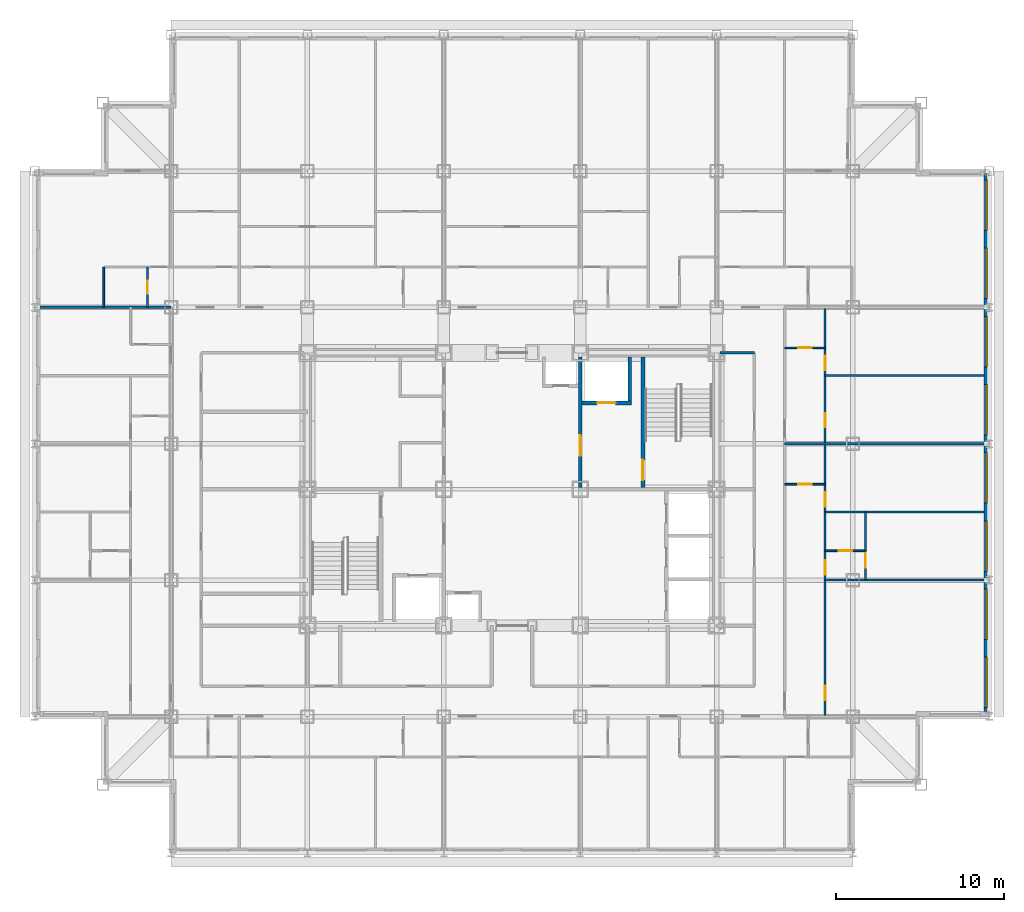
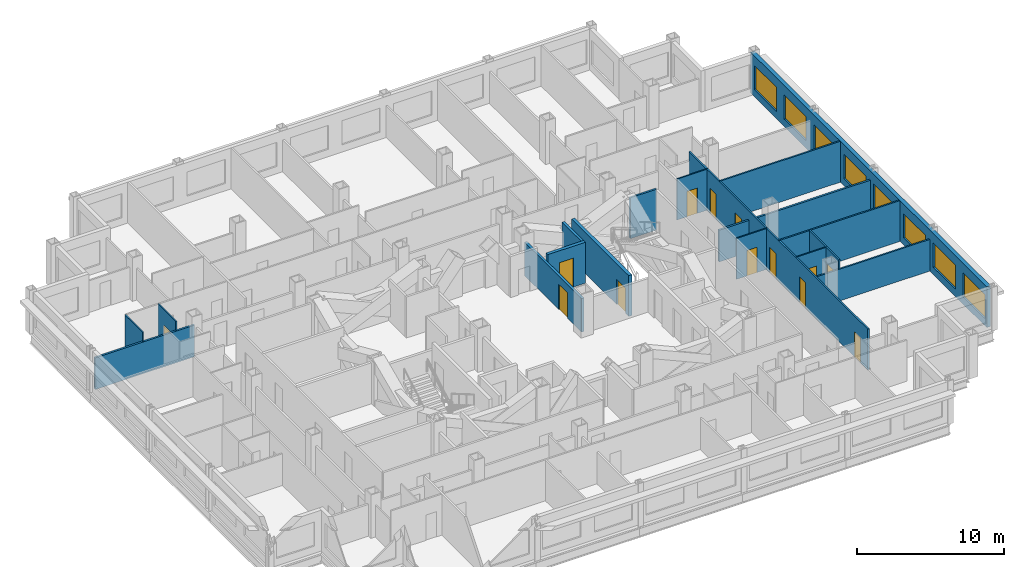
# One storey, part 8 of 12: 19 walls, 13 doors, 8 windows, 21 openings.
"""IFC4 building model written with IfcOpenShell, lengths in metres."""

from ifc_helpers import new_model, si_unit, direction, frame, frame_2d, origin, place, context, subcontext, project, spatial, rectangle, extrude, material, layer, layer_set, type_object, element, fill, save


model = new_model("IFC4")

# Units and contexts
model_context = context("Model", 3, precision=1e-05, world=origin(), true_north=direction((0.0, 1.0)))
body_context = subcontext(model_context, "Body", "Model", "MODEL_VIEW")
ifc_project = project(units=[si_unit("LENGTHUNIT", "METRE"), si_unit("AREAUNIT", "SQUARE_METRE"), si_unit("VOLUMEUNIT", "CUBIC_METRE"), si_unit("PLANEANGLEUNIT", "RADIAN"), si_unit("MASSUNIT", "GRAM", prefix="KILO")], contexts=[model_context])

# Site, building, storey
site_placement = place(None, origin())
site = spatial("IfcSite", under=ifc_project, at=site_placement, CompositionType="ELEMENT")
building_placement = place(site_placement, origin())
building = spatial("IfcBuilding", under=site, at=building_placement, Name="Kopane Lantern Tower", CompositionType="ELEMENT")
storey_placement = place(building_placement, frame((0.0, 0.0, 228.0)))
storey = spatial("IfcBuildingStorey", under=building, at=storey_placement, Name="L59", CompositionType="ELEMENT", Elevation=228.0)

# Wall, openings, doors
ifc_material_1 = material(Name="Gypsum board on steel studs", Category="steel")
ifc_layer_1 = layer(ifc_material_1, 0.1201171875)
ifc_layer_set_1 = layer_set([ifc_layer_1], Name="APARTMENT INTERNAL WALL 120")
wall_type_1 = type_object("IfcWallType", Name="APARTMENT INTERNAL WALL 120", PredefinedType="PARTITIONING", material=ifc_layer_set_1)
wall_1_placement = place(storey_placement, frame((46.949951171875, 18.89990234375, 0.0), z_axis=(0.0, 0.0, 1.0), x_axis=(0.0, 1.0, 0.0)))
wall_1 = element("IfcWall", 1, at=wall_1_placement, inside=storey, type_object=wall_type_1, Name="Apartment Internal Wall 120 L59", PredefinedType="PARTITIONING", context=body_context, shape_type="SweptSolid", body=[
    extrude(rectangle(XDim=24.300048828125, YDim=0.1201171875, at=frame_2d((12.14990234375, 0.0))), origin(), (0.0, 0.0, 1.0), 3.389892578125),
])
opening_1_placement = place(wall_1_placement, frame((0.97509765625, 0.0, 0.0)))
opening_1 = element("IfcOpeningElement", 2, at=opening_1_placement, cuts=wall_1, Name="Opening L59-043", PredefinedType="OPENING", context=body_context, shape_type="SweptSolid", body=[
    extrude(rectangle(XDim=0.85009765625, YDim=2.10009765625, at=frame_2d((0.425048828125, 1.050048828125))), frame((0.0, 0.070068359375, 0.0), z_axis=(0.0, -1.0, 0.0), x_axis=(1.0, 0.0, 0.0)), (0.0, 0.0, 1.0), 0.14013671875),
])
opening_2_placement = place(wall_1_placement, frame((8.425048828125, 0.0, 0.0)))
opening_2 = element("IfcOpeningElement", 3, at=opening_2_placement, cuts=wall_1, Name="Opening L59-045", PredefinedType="OPENING", context=body_context, shape_type="SweptSolid", body=[
    extrude(rectangle(XDim=0.85009765625, YDim=2.10009765625, at=frame_2d((0.425048828125, 1.050048828125))), frame((0.0, 0.070068359375, 0.0), z_axis=(0.0, -1.0, 0.0), x_axis=(1.0, 0.0, 0.0)), (0.0, 0.0, 1.0), 0.14013671875),
])
opening_3_placement = place(wall_1_placement, frame((12.47509765625, 0.0, 0.0)))
opening_3 = element("IfcOpeningElement", 4, at=opening_3_placement, cuts=wall_1, Name="Opening L59-046", PredefinedType="OPENING", context=body_context, shape_type="SweptSolid", body=[
    extrude(rectangle(XDim=0.85009765625, YDim=2.10009765625, at=frame_2d((0.425048828125, 1.050048828125))), frame((0.0, 0.070068359375, 0.0), z_axis=(0.0, -1.0, 0.0), x_axis=(1.0, 0.0, 0.0)), (0.0, 0.0, 1.0), 0.14013671875),
])
opening_4_placement = place(wall_1_placement, frame((17.175048828125, 0.0, 0.0)))
opening_4 = element("IfcOpeningElement", 5, at=opening_4_placement, cuts=wall_1, Name="Opening L59-049", PredefinedType="OPENING", context=body_context, shape_type="SweptSolid", body=[
    extrude(rectangle(XDim=0.85009765625, YDim=2.10009765625, at=frame_2d((0.425048828125, 1.050048828125))), frame((0.0, 0.070068359375, 0.0), z_axis=(0.0, -1.0, 0.0), x_axis=(1.0, 0.0, 0.0)), (0.0, 0.0, 1.0), 0.14013671875),
])
opening_5_placement = place(wall_1_placement, frame((20.574951171875, 0.0, 0.0)))
opening_5 = element("IfcOpeningElement", 6, at=opening_5_placement, cuts=wall_1, Name="Opening L59-050", PredefinedType="OPENING", context=body_context, shape_type="SweptSolid", body=[
    extrude(rectangle(XDim=0.85009765625, YDim=2.10009765625, at=frame_2d((0.425048828125, 1.050048828125))), frame((0.0, 0.070068359375, 0.0), z_axis=(0.0, -1.0, 0.0), x_axis=(1.0, 0.0, 0.0)), (0.0, 0.0, 1.0), 0.14013671875),
])
ifc_material_2 = material(Name="Timber door set", Category="wood")
door_type_1 = type_object("IfcDoorType", Name="DOOR D4 850x2100", OperationType="SINGLE_SWING_LEFT", PredefinedType="DOOR", material=ifc_material_2)
door_1_placement = place(opening_1_placement, origin())
door_1 = element("IfcDoor", 7, at=door_1_placement, inside=storey, type_object=door_type_1, Name="Door L59-043", OperationType="SINGLE_SWING_LEFT", OverallHeight=2.10009765625, OverallWidth=0.85009765625, PredefinedType="DOOR", context=body_context, shape_type="SweptSolid", body=[
    extrude(rectangle(XDim=0.85009765625, YDim=2.10009765625, at=frame_2d((0.425048828125, 1.050048828125))), frame((0.0, 0.02490234375, 0.0), z_axis=(0.0, -1.0, 0.0), x_axis=(1.0, 0.0, 0.0)), (0.0, 0.0, 1.0), 0.050048828125),
])
fill(opening_1, door_1)
door_2_placement = place(opening_2_placement, origin())
door_2 = element("IfcDoor", 8, at=door_2_placement, inside=storey, type_object=door_type_1, Name="Door L59-045", OperationType="SINGLE_SWING_RIGHT", OverallHeight=2.10009765625, OverallWidth=0.85009765625, PredefinedType="DOOR", context=body_context, shape_type="SweptSolid", body=[
    extrude(rectangle(XDim=0.85009765625, YDim=2.10009765625, at=frame_2d((0.425048828125, 1.050048828125))), frame((0.0, 0.02490234375, 0.0), z_axis=(0.0, -1.0, 0.0), x_axis=(1.0, 0.0, 0.0)), (0.0, 0.0, 1.0), 0.050048828125),
])
fill(opening_2, door_2)
door_3_placement = place(opening_3_placement, origin())
door_3 = element("IfcDoor", 9, at=door_3_placement, inside=storey, type_object=door_type_1, Name="Door L59-046", OperationType="SINGLE_SWING_RIGHT", OverallHeight=2.10009765625, OverallWidth=0.85009765625, PredefinedType="DOOR", context=body_context, shape_type="SweptSolid", body=[
    extrude(rectangle(XDim=0.85009765625, YDim=2.10009765625, at=frame_2d((0.425048828125, 1.050048828125))), frame((0.0, 0.02490234375, 0.0), z_axis=(0.0, -1.0, 0.0), x_axis=(1.0, 0.0, 0.0)), (0.0, 0.0, 1.0), 0.050048828125),
])
fill(opening_3, door_3)
door_4_placement = place(opening_4_placement, origin())
door_4 = element("IfcDoor", 10, at=door_4_placement, inside=storey, type_object=door_type_1, Name="Door L59-049", OperationType="SINGLE_SWING_LEFT", OverallHeight=2.10009765625, OverallWidth=0.85009765625, PredefinedType="DOOR", context=body_context, shape_type="SweptSolid", body=[
    extrude(rectangle(XDim=0.85009765625, YDim=2.10009765625, at=frame_2d((0.425048828125, 1.050048828125))), frame((0.0, 0.02490234375, 0.0), z_axis=(0.0, -1.0, 0.0), x_axis=(1.0, 0.0, 0.0)), (0.0, 0.0, 1.0), 0.050048828125),
])
fill(opening_4, door_4)
door_5_placement = place(opening_5_placement, origin())
door_5 = element("IfcDoor", 11, at=door_5_placement, inside=storey, type_object=door_type_1, Name="Door L59-050", OperationType="SINGLE_SWING_RIGHT", OverallHeight=2.10009765625, OverallWidth=0.85009765625, PredefinedType="DOOR", context=body_context, shape_type="SweptSolid", body=[
    extrude(rectangle(XDim=0.85009765625, YDim=2.10009765625, at=frame_2d((0.425048828125, 1.050048828125))), frame((0.0, 0.02490234375, 0.0), z_axis=(0.0, -1.0, 0.0), x_axis=(1.0, 0.0, 0.0)), (0.0, 0.0, 1.0), 0.050048828125),
])
fill(opening_5, door_5)

# Walls
wall_2_placement = place(storey_placement, frame((46.949951171875, 27.0, 0.0), z_axis=(0.0, 0.0, 1.0), x_axis=(1.0, 0.0, 0.0)))
element("IfcWall", 12, at=wall_2_placement, inside=storey, type_object=wall_type_1, Name="Apartment Internal Wall 120 L59", PredefinedType="PARTITIONING", context=body_context, shape_type="SweptSolid", body=[
    extrude(rectangle(XDim=9.449951171875, YDim=0.1201171875, at=frame_2d((4.72509765625, 0.0))), origin(), (0.0, 0.0, 1.0), 2.627685546875),
])
for number, where, z_axis, x_axis, name in (
    (13, (46.949951171875, 31.050048828125, 0.0), (0.0, 0.0, 1.0), (1.0, 0.0, 0.0), "Apartment Internal Wall 120 L59"),
    (14, (46.949951171875, 39.14990234375, 0.0), (0.0, 0.0, 1.0), (1.0, 0.0, 0.0), "Apartment Internal Wall 120 L59"),
):
    element("IfcWall", number, at=place(storey_placement, frame(where, z_axis=z_axis, x_axis=x_axis)), inside=storey, type_object=wall_type_1, Name=name, PredefinedType="PARTITIONING", context=body_context, shape_type="SweptSolid", body=[
        extrude(rectangle(XDim=9.449951171875, YDim=0.1201171875, at=frame_2d((4.72509765625, 0.0))), origin(), (0.0, 0.0, 1.0), 3.389892578125),
    ])

# Wall, opening, door
wall_3_placement = place(storey_placement, frame((49.35009765625, 28.760009765625, 0.0), z_axis=(0.0, 0.0, 1.0), x_axis=(0.0, -1.0, 0.0)))
wall_3 = element("IfcWall", 15, at=wall_3_placement, inside=storey, type_object=wall_type_1, Name="Apartment Internal Wall 120 L59", PredefinedType="PARTITIONING", context=body_context, shape_type="SweptSolid", body=[
    extrude(rectangle(XDim=1.760009765625, YDim=0.1201171875, at=frame_2d((0.8798828125, 0.0))), origin(), (0.0, 0.0, 1.0), 3.389892578125),
])
opening_6_placement = place(wall_3_placement, frame((0.159912109375, 0.0, 0.0)))
opening_6 = element("IfcOpeningElement", 16, at=opening_6_placement, cuts=wall_3, Name="Opening L59-069", PredefinedType="OPENING", context=body_context, shape_type="SweptSolid", body=[
    extrude(rectangle(XDim=0.85009765625, YDim=2.10009765625, at=frame_2d((0.425048828125, 1.050048828125))), frame((0.0, 0.070068359375, 0.0), z_axis=(0.0, -1.0, 0.0), x_axis=(1.0, 0.0, 0.0)), (0.0, 0.0, 1.0), 0.14013671875),
])
door_6_placement = place(opening_6_placement, origin())
door_6 = element("IfcDoor", 17, at=door_6_placement, inside=storey, type_object=door_type_1, Name="Door L59-069", OperationType="SINGLE_SWING_RIGHT", OverallHeight=2.10009765625, OverallWidth=0.85009765625, PredefinedType="DOOR", context=body_context, shape_type="SweptSolid", body=[
    extrude(rectangle(XDim=0.85009765625, YDim=2.10009765625, at=frame_2d((0.425048828125, 1.050048828125))), frame((0.0, 0.02490234375, 0.0), z_axis=(0.0, -1.0, 0.0), x_axis=(1.0, 0.0, 0.0)), (0.0, 0.0, 1.0), 0.050048828125),
])
fill(opening_6, door_6)

ifc_material_3 = material(Name="Moisture-resistant board on steel studs", Category="steel")
ifc_layer_2 = layer(ifc_material_3, 0.10009765625)
ifc_layer_set_2 = layer_set([ifc_layer_2], Name="BATHROOM WALL 100")
wall_type_2 = type_object("IfcWallType", Name="BATHROOM WALL 100", PredefinedType="PARTITIONING", material=ifc_layer_set_2)
wall_4_placement = place(storey_placement, frame((44.550048828125, 32.699951171875, 0.0), z_axis=(0.0, 0.0, 1.0), x_axis=(1.0, 0.0, 0.0)))
wall_4 = element("IfcWall", 18, at=wall_4_placement, inside=storey, type_object=wall_type_2, Name="Bathroom Wall 100 L59", PredefinedType="PARTITIONING", context=body_context, shape_type="SweptSolid", body=[
    extrude(rectangle(XDim=2.39990234375, YDim=0.10009765625, at=frame_2d((1.199951171875, 0.0))), origin(), (0.0, 0.0, 1.0), 3.389892578125),
])
opening_7_placement = place(wall_4_placement, frame((0.800048828125, 0.0, 0.0)))
opening_7 = element("IfcOpeningElement", 19, at=opening_7_placement, cuts=wall_4, Name="Opening L59-041", PredefinedType="OPENING", context=body_context, shape_type="SweptSolid", body=[
    extrude(rectangle(XDim=0.800048828125, YDim=2.10009765625, at=frame_2d((0.39990234375, 1.050048828125))), frame((0.0, 0.06005859375, 0.0), z_axis=(0.0, -1.0, 0.0), x_axis=(1.0, 0.0, 0.0)), (0.0, 0.0, 1.0), 0.1201171875),
])
ifc_material_4 = material(Name="Timber door set", Category="wood")
door_type_2 = type_object("IfcDoorType", Name="DOOR D2 800x2100", OperationType="SINGLE_SWING_LEFT", PredefinedType="DOOR", material=ifc_material_4)
door_7_placement = place(opening_7_placement, origin())
door_7 = element("IfcDoor", 20, at=door_7_placement, inside=storey, type_object=door_type_2, Name="Door L59-041", OperationType="SINGLE_SWING_LEFT", OverallHeight=2.10009765625, OverallWidth=0.800048828125, PredefinedType="DOOR", context=body_context, shape_type="SweptSolid", body=[
    extrude(rectangle(XDim=0.800048828125, YDim=2.10009765625, at=frame_2d((0.39990234375, 1.050048828125))), frame((0.0, 0.02490234375, 0.0), z_axis=(0.0, -1.0, 0.0), x_axis=(1.0, 0.0, 0.0)), (0.0, 0.0, 1.0), 0.050048828125),
])
fill(opening_7, door_7)

wall_5_placement = place(storey_placement, frame((46.949951171875, 28.75, 0.0), z_axis=(0.0, 0.0, 1.0), x_axis=(1.0, 0.0, 0.0)))
wall_5 = element("IfcWall", 21, at=wall_5_placement, inside=storey, type_object=wall_type_2, Name="Bathroom Wall 100 L59", PredefinedType="PARTITIONING", context=body_context, shape_type="SweptSolid", body=[
    extrude(rectangle(XDim=2.400146484375, YDim=0.10009765625, at=frame_2d((1.2001953125, 0.0))), origin(), (0.0, 0.0, 1.0), 3.389892578125),
])
opening_8_placement = place(wall_5_placement, frame((0.800048828125, 0.0, 0.0)))
opening_8 = element("IfcOpeningElement", 22, at=opening_8_placement, cuts=wall_5, Name="Opening L59-044", PredefinedType="OPENING", context=body_context, shape_type="SweptSolid", body=[
    extrude(rectangle(XDim=0.800048828125, YDim=2.10009765625, at=frame_2d((0.39990234375, 1.050048828125))), frame((0.0, 0.06005859375, 0.0), z_axis=(0.0, -1.0, 0.0), x_axis=(1.0, 0.0, 0.0)), (0.0, 0.0, 1.0), 0.1201171875),
])
door_8_placement = place(opening_8_placement, origin())
door_8 = element("IfcDoor", 23, at=door_8_placement, inside=storey, type_object=door_type_2, Name="Door L59-044", OperationType="SINGLE_SWING_LEFT", OverallHeight=2.10009765625, OverallWidth=0.800048828125, PredefinedType="DOOR", context=body_context, shape_type="SweptSolid", body=[
    extrude(rectangle(XDim=0.800048828125, YDim=2.10009765625, at=frame_2d((0.39990234375, 1.050048828125))), frame((0.0, 0.02490234375, 0.0), z_axis=(0.0, -1.0, 0.0), x_axis=(1.0, 0.0, 0.0)), (0.0, 0.0, 1.0), 0.050048828125),
])
fill(opening_8, door_8)

# Wall
wall_6_placement = place(storey_placement, frame((49.35009765625, 28.75, 0.0), z_axis=(0.0, 0.0, 1.0), x_axis=(0.0, 1.0, 0.0)))
element("IfcWall", 24, at=wall_6_placement, inside=storey, type_object=wall_type_2, Name="Bathroom Wall 100 L59", PredefinedType="PARTITIONING", context=body_context, shape_type="SweptSolid", body=[
    extrude(rectangle(XDim=2.300048828125, YDim=0.10009765625, at=frame_2d((1.14990234375, 0.0))), origin(), (0.0, 0.0, 1.0), 3.389892578125),
])

# Wall, opening, door
wall_7_placement = place(storey_placement, frame((44.550048828125, 40.800048828125, 0.0), z_axis=(0.0, 0.0, 1.0), x_axis=(1.0, 0.0, 0.0)))
wall_7 = element("IfcWall", 25, at=wall_7_placement, inside=storey, type_object=wall_type_2, Name="Bathroom Wall 100 L59", PredefinedType="PARTITIONING", context=body_context, shape_type="SweptSolid", body=[
    extrude(rectangle(XDim=2.39990234375, YDim=0.10009765625, at=frame_2d((1.199951171875, 0.0))), origin(), (0.0, 0.0, 1.0), 3.389892578125),
])
opening_9_placement = place(wall_7_placement, frame((0.800048828125, 0.0, 0.0)))
opening_9 = element("IfcOpeningElement", 26, at=opening_9_placement, cuts=wall_7, Name="Opening L59-047", PredefinedType="OPENING", context=body_context, shape_type="SweptSolid", body=[
    extrude(rectangle(XDim=0.800048828125, YDim=2.10009765625, at=frame_2d((0.39990234375, 1.050048828125))), frame((0.0, 0.06005859375, 0.0), z_axis=(0.0, -1.0, 0.0), x_axis=(1.0, 0.0, 0.0)), (0.0, 0.0, 1.0), 0.1201171875),
])
door_9_placement = place(opening_9_placement, origin())
door_9 = element("IfcDoor", 27, at=door_9_placement, inside=storey, type_object=door_type_2, Name="Door L59-047", OperationType="SINGLE_SWING_LEFT", OverallHeight=2.10009765625, OverallWidth=0.800048828125, PredefinedType="DOOR", context=body_context, shape_type="SweptSolid", body=[
    extrude(rectangle(XDim=0.800048828125, YDim=2.10009765625, at=frame_2d((0.39990234375, 1.050048828125))), frame((0.0, 0.02490234375, 0.0), z_axis=(0.0, -1.0, 0.0), x_axis=(1.0, 0.0, 0.0)), (0.0, 0.0, 1.0), 0.050048828125),
])
fill(opening_9, door_9)

wall_8_placement = place(storey_placement, frame((6.699951171875, 43.199951171875, 0.0), z_axis=(0.0, 0.0, 1.0), x_axis=(0.0, 1.0, 0.0)))
wall_8 = element("IfcWall", 28, at=wall_8_placement, inside=storey, type_object=wall_type_2, Name="Bathroom Wall 100 L59", PredefinedType="PARTITIONING", context=body_context, shape_type="SweptSolid", body=[
    extrude(rectangle(XDim=2.400146484375, YDim=0.10009765625, at=frame_2d((1.2001953125, 0.0))), origin(), (0.0, 0.0, 1.0), 3.389892578125),
])
opening_10_placement = place(wall_8_placement, frame((0.800048828125, 0.0, 0.0)))
opening_10 = element("IfcOpeningElement", 29, at=opening_10_placement, cuts=wall_8, Name="Opening L59-065", PredefinedType="OPENING", context=body_context, shape_type="SweptSolid", body=[
    extrude(rectangle(XDim=0.800048828125, YDim=2.10009765625, at=frame_2d((0.39990234375, 1.050048828125))), frame((0.0, 0.06005859375, 0.0), z_axis=(0.0, -1.0, 0.0), x_axis=(1.0, 0.0, 0.0)), (0.0, 0.0, 1.0), 0.1201171875),
])
door_10_placement = place(opening_10_placement, origin())
door_10 = element("IfcDoor", 30, at=door_10_placement, inside=storey, type_object=door_type_2, Name="Door L59-065", OperationType="SINGLE_SWING_LEFT", OverallHeight=2.10009765625, OverallWidth=0.800048828125, PredefinedType="DOOR", context=body_context, shape_type="SweptSolid", body=[
    extrude(rectangle(XDim=0.800048828125, YDim=2.10009765625, at=frame_2d((0.39990234375, 1.050048828125))), frame((0.0, 0.02490234375, 0.0), z_axis=(0.0, -1.0, 0.0), x_axis=(1.0, 0.0, 0.0)), (0.0, 0.0, 1.0), 0.050048828125),
])
fill(opening_10, door_10)

# Wall
wall_9_placement = place(storey_placement, frame((4.10009765625, 43.199951171875, 0.0), z_axis=(0.0, 0.0, 1.0), x_axis=(0.0, 1.0, 0.0)))
element("IfcWall", 31, at=wall_9_placement, inside=storey, type_object=wall_type_2, Name="Bathroom Wall 100 L59", PredefinedType="PARTITIONING", context=body_context, shape_type="SweptSolid", body=[
    extrude(rectangle(XDim=2.400146484375, YDim=0.10009765625, at=frame_2d((1.2001953125, 0.0))), origin(), (0.0, 0.0, 1.0), 3.389892578125),
])

# Wall, opening, door
ifc_material_5 = material(Name="Gypsum shaft wall EI 120", Category="gypsum")
ifc_layer_3 = layer(ifc_material_5, 0.25)
ifc_layer_set_3 = layer_set([ifc_layer_3], Name="CORE SHAFT WALL 250 EI 120")
wall_type_3 = type_object("IfcWallType", Name="CORE SHAFT WALL 250 EI 120", PredefinedType="SOLIDWALL", material=ifc_layer_set_3)
wall_10_placement = place(storey_placement, frame((36.125, 32.5, 0.0), z_axis=(0.0, 0.0, 1.0), x_axis=(0.0, 1.0, 0.0)))
wall_10 = element("IfcWall", 32, at=wall_10_placement, inside=storey, type_object=wall_type_3, Name="Core shaft wall L59 XST2", PredefinedType="SOLIDWALL", context=body_context, shape_type="SweptSolid", body=[
    extrude(rectangle(XDim=7.75, YDim=0.25, at=frame_2d((3.875, 0.0))), origin(), (0.0, 0.0, 1.0), 3.389892578125),
])
opening_11_placement = place(wall_10_placement, frame((0.449951171875, 0.0, 0.0)))
opening_11 = element("IfcOpeningElement", 33, at=opening_11_placement, cuts=wall_10, Name="Opening 59.SD2", PredefinedType="OPENING", context=body_context, shape_type="SweptSolid", body=[
    extrude(rectangle(XDim=1.199951171875, YDim=2.10009765625, at=frame_2d((0.60009765625, 1.050048828125))), frame((0.0, 0.135009765625, 0.0), z_axis=(0.0, -1.0, 0.0), x_axis=(1.0, 0.0, 0.0)), (0.0, 0.0, 1.0), 0.27001953125),
])
ifc_material_6 = material(Name="Steel door set", Category="steel")
door_type_3 = type_object("IfcDoorType", Name="STAIR DOOR 1200x2100 FD60S", OperationType="SINGLE_SWING_LEFT", PredefinedType="DOOR", material=ifc_material_6)
door_11_placement = place(opening_11_placement, origin())
door_11 = element("IfcDoor", 34, at=door_11_placement, inside=storey, type_object=door_type_3, Name="Stair door ST2 L59", OperationType="SINGLE_SWING_RIGHT", OverallHeight=2.10009765625, OverallWidth=1.199951171875, PredefinedType="DOOR", context=body_context, shape_type="SweptSolid", body=[
    extrude(rectangle(XDim=1.199951171875, YDim=2.10009765625, at=frame_2d((0.60009765625, 1.050048828125))), frame((0.0, 0.02490234375, 0.0), z_axis=(0.0, -1.0, 0.0), x_axis=(1.0, 0.0, 0.0)), (0.0, 0.0, 1.0), 0.050048828125),
])
fill(opening_11, door_11)

wall_11_placement = place(storey_placement, frame((32.5, 37.52490234375, 0.0), z_axis=(0.0, 0.0, 1.0), x_axis=(1.0, 0.0, 0.0)))
wall_11 = element("IfcWall", 35, at=wall_11_placement, inside=storey, type_object=wall_type_3, Name="Core shaft wall L59 YLF2", PredefinedType="SOLIDWALL", context=body_context, shape_type="SweptSolid", body=[
    extrude(rectangle(XDim=2.949951171875, YDim=0.25, at=frame_2d((1.47509765625, 0.0))), origin(), (0.0, 0.0, 1.0), 3.389892578125),
])
opening_12_placement = place(wall_11_placement, frame((0.89990234375, 0.0, 0.0)))
opening_12 = element("IfcOpeningElement", 36, at=opening_12_placement, cuts=wall_11, Name="Opening 59.LD-LF2", PredefinedType="OPENING", context=body_context, shape_type="SweptSolid", body=[
    extrude(rectangle(XDim=1.10009765625, YDim=2.39990234375, at=frame_2d((0.550048828125, 1.199951171875))), frame((0.0, 0.135009765625, 0.0), z_axis=(0.0, -1.0, 0.0), x_axis=(1.0, 0.0, 0.0)), (0.0, 0.0, 1.0), 0.27001953125),
])
ifc_material_7 = material(Name="Steel door set", Category="steel")
door_type_4 = type_object("IfcDoorType", Name="LIFT LANDING DOOR 1100x2400 FD60", OperationType="DOUBLE_DOOR_SLIDING", PredefinedType="DOOR", material=ifc_material_7)
door_12_placement = place(opening_12_placement, origin())
door_12 = element("IfcDoor", 37, at=door_12_placement, inside=storey, type_object=door_type_4, Name="Landing door LF2 L59", OperationType="DOUBLE_DOOR_SLIDING", OverallHeight=2.39990234375, OverallWidth=1.10009765625, PredefinedType="DOOR", context=body_context, shape_type="SweptSolid", body=[
    extrude(rectangle(XDim=1.10009765625, YDim=2.39990234375, at=frame_2d((0.550048828125, 1.199951171875))), frame((0.0, 0.02490234375, 0.0), z_axis=(0.0, -1.0, 0.0), x_axis=(1.0, 0.0, 0.0)), (0.0, 0.0, 1.0), 0.050048828125),
])
fill(opening_12, door_12)

# Walls
ifc_material_8 = material(Name="Gypsum board on steel studs", Category="steel")
ifc_layer_4 = layer(ifc_material_8, 0.14990234375)
ifc_layer_set_4 = layer_set([ifc_layer_4], Name="CORRIDOR WALL 150 EI 60")
wall_type_4 = type_object("IfcWallType", Name="CORRIDOR WALL 150 EI 60", PredefinedType="PARTITIONING", material=ifc_layer_set_4)
wall_12_placement = place(storey_placement, frame((42.75, 40.5, 0.0), z_axis=(0.0, 0.0, 1.0), x_axis=(-1.0, 0.0, 0.0)))
element("IfcWall", 38, at=wall_12_placement, inside=storey, type_object=wall_type_4, Name="Corridor Wall 150 Ei 60 L59", PredefinedType="PARTITIONING", context=body_context, shape_type="SweptSolid", body=[
    extrude(rectangle(XDim=2.050048828125, YDim=0.14990234375, at=frame_2d((1.02490234375, 0.0))), origin(), (0.0, 0.0, 1.0), 3.389892578125),
])
ifc_material_9 = material(Name="Gypsum board on steel studs", Category="steel")
ifc_layer_5 = layer(ifc_material_9, 0.14990234375)
ifc_layer_set_5 = layer_set([ifc_layer_5], Name="DEMISING WALL 150 EI 60")
wall_type_5 = type_object("IfcWallType", Name="DEMISING WALL 150 EI 60", PredefinedType="PARTITIONING", material=ifc_layer_set_5)
wall_13_placement = place(storey_placement, frame((44.550048828125, 35.10009765625, 0.0), z_axis=(0.0, 0.0, 1.0), x_axis=(1.0, 0.0, 0.0)))
element("IfcWall", 39, at=wall_13_placement, inside=storey, type_object=wall_type_5, Name="Demising Wall 150 Ei 60 L59", PredefinedType="PARTITIONING", context=body_context, shape_type="SweptSolid", body=[
    extrude(rectangle(XDim=11.849853515625, YDim=0.14990234375, at=frame_2d((5.9248046875, 0.0))), origin(), (0.0, 0.0, 1.0), 2.627685546875),
])
wall_14_placement = place(storey_placement, frame((0.300048828125, 43.199951171875, 0.0), z_axis=(0.0, 0.0, 1.0), x_axis=(1.0, 0.0, 0.0)))
element("IfcWall", 40, at=wall_14_placement, inside=storey, type_object=wall_type_5, Name="Demising Wall 150 Ei 60 L59", PredefinedType="PARTITIONING", context=body_context, shape_type="SweptSolid", body=[
    extrude(rectangle(XDim=7.800048828125, YDim=0.14990234375, at=frame_2d((3.89990234375, 0.0))), origin(), (0.0, 0.0, 1.0), 2.627685546875),
])

# Wall, openings, windows
ifc_material_10 = material(Name="Terracotta rainscreen on light steel framing", Category="masonry")
ifc_layer_6 = layer(ifc_material_10, 0.300048828125)
ifc_layer_set_6 = layer_set([ifc_layer_6], Name="EXTERNAL WALL EW1 300 TERRACOTTA")
wall_type_6 = type_object("IfcWallType", Name="EXTERNAL WALL EW1 300 TERRACOTTA", PredefinedType="SOLIDWALL", material=ifc_layer_set_6)
wall_15_placement = place(storey_placement, frame((56.550048828125, 19.199951171875, 0.0), z_axis=(0.0, 0.0, 1.0), x_axis=(0.0, 1.0, 0.0)))
wall_15 = element("IfcWall", 41, at=wall_15_placement, inside=storey, type_object=wall_type_6, Name="External wall E L59", PredefinedType="SOLIDWALL", context=body_context, shape_type="SweptSolid", body=[
    extrude(rectangle(XDim=32.10009765625, YDim=0.300048828125, at=frame_2d((16.050048828125, 0.0))), origin(), (0.0, 0.0, 1.0), 3.389892578125),
])
opening_13_placement = place(wall_15_placement, frame((0.22509765625, 0.0, 0.60009765625)))
opening_13 = element("IfcOpeningElement", 42, at=opening_13_placement, cuts=wall_15, Name="Opening WR300200", PredefinedType="OPENING", context=body_context, shape_type="SweptSolid", body=[
    extrude(rectangle(XDim=3.0, YDim=2.0, at=frame_2d((1.5, 1.0))), frame((0.0, 0.159912109375, 0.0), z_axis=(0.0, -1.0, 0.0), x_axis=(1.0, 0.0, 0.0)), (0.0, 0.0, 1.0), 0.320068359375),
])
opening_14_placement = place(wall_15_placement, frame((4.27490234375, 0.0, 0.60009765625)))
opening_14 = element("IfcOpeningElement", 43, at=opening_14_placement, cuts=wall_15, Name="Opening WR300200", PredefinedType="OPENING", context=body_context, shape_type="SweptSolid", body=[
    extrude(rectangle(XDim=3.0, YDim=2.0, at=frame_2d((1.5, 1.0))), frame((0.0, 0.159912109375, 0.0), z_axis=(0.0, -1.0, 0.0), x_axis=(1.0, 0.0, 0.0)), (0.0, 0.0, 1.0), 0.320068359375),
])
opening_15_placement = place(wall_15_placement, frame((8.324951171875, 0.0, 0.60009765625)))
opening_15 = element("IfcOpeningElement", 44, at=opening_15_placement, cuts=wall_15, Name="Opening WR300200", PredefinedType="OPENING", context=body_context, shape_type="SweptSolid", body=[
    extrude(rectangle(XDim=3.0, YDim=2.0, at=frame_2d((1.5, 1.0))), frame((0.0, 0.159912109375, 0.0), z_axis=(0.0, -1.0, 0.0), x_axis=(1.0, 0.0, 0.0)), (0.0, 0.0, 1.0), 0.320068359375),
])
opening_16_placement = place(wall_15_placement, frame((12.375, 0.0, 0.60009765625)))
opening_16 = element("IfcOpeningElement", 45, at=opening_16_placement, cuts=wall_15, Name="Opening WR300200", PredefinedType="OPENING", context=body_context, shape_type="SweptSolid", body=[
    extrude(rectangle(XDim=3.0, YDim=2.0, at=frame_2d((1.5, 1.0))), frame((0.0, 0.159912109375, 0.0), z_axis=(0.0, -1.0, 0.0), x_axis=(1.0, 0.0, 0.0)), (0.0, 0.0, 1.0), 0.320068359375),
])
opening_17_placement = place(wall_15_placement, frame((16.425048828125, 0.0, 0.60009765625)))
opening_17 = element("IfcOpeningElement", 46, at=opening_17_placement, cuts=wall_15, Name="Opening WR300200", PredefinedType="OPENING", context=body_context, shape_type="SweptSolid", body=[
    extrude(rectangle(XDim=3.0, YDim=2.0, at=frame_2d((1.5, 1.0))), frame((0.0, 0.159912109375, 0.0), z_axis=(0.0, -1.0, 0.0), x_axis=(1.0, 0.0, 0.0)), (0.0, 0.0, 1.0), 0.320068359375),
])
opening_18_placement = place(wall_15_placement, frame((20.47509765625, 0.0, 0.60009765625)))
opening_18 = element("IfcOpeningElement", 47, at=opening_18_placement, cuts=wall_15, Name="Opening WR300200", PredefinedType="OPENING", context=body_context, shape_type="SweptSolid", body=[
    extrude(rectangle(XDim=3.0, YDim=2.0, at=frame_2d((1.5, 1.0))), frame((0.0, 0.159912109375, 0.0), z_axis=(0.0, -1.0, 0.0), x_axis=(1.0, 0.0, 0.0)), (0.0, 0.0, 1.0), 0.320068359375),
])
opening_19_placement = place(wall_15_placement, frame((24.52490234375, 0.0, 0.60009765625)))
opening_19 = element("IfcOpeningElement", 48, at=opening_19_placement, cuts=wall_15, Name="Opening WR300200", PredefinedType="OPENING", context=body_context, shape_type="SweptSolid", body=[
    extrude(rectangle(XDim=3.0, YDim=2.0, at=frame_2d((1.5, 1.0))), frame((0.0, 0.159912109375, 0.0), z_axis=(0.0, -1.0, 0.0), x_axis=(1.0, 0.0, 0.0)), (0.0, 0.0, 1.0), 0.320068359375),
])
opening_20_placement = place(wall_15_placement, frame((28.574951171875, 0.0, 0.60009765625)))
opening_20 = element("IfcOpeningElement", 49, at=opening_20_placement, cuts=wall_15, Name="Opening WR300200", PredefinedType="OPENING", context=body_context, shape_type="SweptSolid", body=[
    extrude(rectangle(XDim=3.0, YDim=2.0, at=frame_2d((1.5, 1.0))), frame((0.0, 0.159912109375, 0.0), z_axis=(0.0, -1.0, 0.0), x_axis=(1.0, 0.0, 0.0)), (0.0, 0.0, 1.0), 0.320068359375),
])
ifc_material_11 = material(Name="Aluminium and clear glass", Category="aluminium")
window_type = type_object("IfcWindowType", Name="RIBBON WINDOW WR300200 3000x2000", PartitioningType="SINGLE_PANEL", PredefinedType="WINDOW", material=ifc_material_11)
window_1_placement = place(opening_13_placement, origin())
window_1 = element("IfcWindow", 50, at=window_1_placement, inside=storey, type_object=window_type, Name="Window E L59", OverallHeight=2.0, OverallWidth=3.0, PartitioningType="SINGLE_PANEL", PredefinedType="WINDOW", context=body_context, shape_type="SweptSolid", body=[
    extrude(rectangle(XDim=3.0, YDim=2.0, at=frame_2d((1.5, 1.0))), frame((0.0, 0.030029296875, 0.0), z_axis=(0.0, -1.0, 0.0), x_axis=(1.0, 0.0, 0.0)), (0.0, 0.0, 1.0), 0.06005859375),
])
fill(opening_13, window_1)
window_2_placement = place(opening_14_placement, origin())
window_2 = element("IfcWindow", 51, at=window_2_placement, inside=storey, type_object=window_type, Name="Window E L59", OverallHeight=2.0, OverallWidth=3.0, PartitioningType="SINGLE_PANEL", PredefinedType="WINDOW", context=body_context, shape_type="SweptSolid", body=[
    extrude(rectangle(XDim=3.0, YDim=2.0, at=frame_2d((1.5, 1.0))), frame((0.0, 0.030029296875, 0.0), z_axis=(0.0, -1.0, 0.0), x_axis=(1.0, 0.0, 0.0)), (0.0, 0.0, 1.0), 0.06005859375),
])
fill(opening_14, window_2)
window_3_placement = place(opening_15_placement, origin())
window_3 = element("IfcWindow", 52, at=window_3_placement, inside=storey, type_object=window_type, Name="Window E L59", OverallHeight=2.0, OverallWidth=3.0, PartitioningType="SINGLE_PANEL", PredefinedType="WINDOW", context=body_context, shape_type="SweptSolid", body=[
    extrude(rectangle(XDim=3.0, YDim=2.0, at=frame_2d((1.5, 1.0))), frame((0.0, 0.030029296875, 0.0), z_axis=(0.0, -1.0, 0.0), x_axis=(1.0, 0.0, 0.0)), (0.0, 0.0, 1.0), 0.06005859375),
])
fill(opening_15, window_3)
window_4_placement = place(opening_16_placement, origin())
window_4 = element("IfcWindow", 53, at=window_4_placement, inside=storey, type_object=window_type, Name="Window E L59", OverallHeight=2.0, OverallWidth=3.0, PartitioningType="SINGLE_PANEL", PredefinedType="WINDOW", context=body_context, shape_type="SweptSolid", body=[
    extrude(rectangle(XDim=3.0, YDim=2.0, at=frame_2d((1.5, 1.0))), frame((0.0, 0.030029296875, 0.0), z_axis=(0.0, -1.0, 0.0), x_axis=(1.0, 0.0, 0.0)), (0.0, 0.0, 1.0), 0.06005859375),
])
fill(opening_16, window_4)
window_5_placement = place(opening_17_placement, origin())
window_5 = element("IfcWindow", 54, at=window_5_placement, inside=storey, type_object=window_type, Name="Window E L59", OverallHeight=2.0, OverallWidth=3.0, PartitioningType="SINGLE_PANEL", PredefinedType="WINDOW", context=body_context, shape_type="SweptSolid", body=[
    extrude(rectangle(XDim=3.0, YDim=2.0, at=frame_2d((1.5, 1.0))), frame((0.0, 0.030029296875, 0.0), z_axis=(0.0, -1.0, 0.0), x_axis=(1.0, 0.0, 0.0)), (0.0, 0.0, 1.0), 0.06005859375),
])
fill(opening_17, window_5)
window_6_placement = place(opening_18_placement, origin())
window_6 = element("IfcWindow", 55, at=window_6_placement, inside=storey, type_object=window_type, Name="Window E L59", OverallHeight=2.0, OverallWidth=3.0, PartitioningType="SINGLE_PANEL", PredefinedType="WINDOW", context=body_context, shape_type="SweptSolid", body=[
    extrude(rectangle(XDim=3.0, YDim=2.0, at=frame_2d((1.5, 1.0))), frame((0.0, 0.030029296875, 0.0), z_axis=(0.0, -1.0, 0.0), x_axis=(1.0, 0.0, 0.0)), (0.0, 0.0, 1.0), 0.06005859375),
])
fill(opening_18, window_6)
window_7_placement = place(opening_19_placement, origin())
window_7 = element("IfcWindow", 56, at=window_7_placement, inside=storey, type_object=window_type, Name="Window E L59", OverallHeight=2.0, OverallWidth=3.0, PartitioningType="SINGLE_PANEL", PredefinedType="WINDOW", context=body_context, shape_type="SweptSolid", body=[
    extrude(rectangle(XDim=3.0, YDim=2.0, at=frame_2d((1.5, 1.0))), frame((0.0, 0.030029296875, 0.0), z_axis=(0.0, -1.0, 0.0), x_axis=(1.0, 0.0, 0.0)), (0.0, 0.0, 1.0), 0.06005859375),
])
fill(opening_19, window_7)
window_8_placement = place(opening_20_placement, origin())
window_8 = element("IfcWindow", 57, at=window_8_placement, inside=storey, type_object=window_type, Name="Window E L59", OverallHeight=2.0, OverallWidth=3.0, PartitioningType="SINGLE_PANEL", PredefinedType="WINDOW", context=body_context, shape_type="SweptSolid", body=[
    extrude(rectangle(XDim=3.0, YDim=2.0, at=frame_2d((1.5, 1.0))), frame((0.0, 0.030029296875, 0.0), z_axis=(0.0, -1.0, 0.0), x_axis=(1.0, 0.0, 0.0)), (0.0, 0.0, 1.0), 0.06005859375),
])
fill(opening_20, window_8)

# Wall, opening, door
ifc_material_12 = material(Name="Gypsum shaft wall EI 120", Category="gypsum")
ifc_layer_7 = layer(ifc_material_12, 0.199951171875)
ifc_layer_set_7 = layer_set([ifc_layer_7], Name="SHAFT WALL 200 EI 120")
wall_type_7 = type_object("IfcWallType", Name="SHAFT WALL 200 EI 120", PredefinedType="SOLIDWALL", material=ifc_layer_set_7)
wall_16_placement = place(storey_placement, frame((32.39990234375, 32.5, 0.0), z_axis=(0.0, 0.0, 1.0), x_axis=(0.0, 1.0, 0.0)))
wall_16 = element("IfcWall", 58, at=wall_16_placement, inside=storey, type_object=wall_type_7, Name="Core shaft wall L59 X324", PredefinedType="SOLIDWALL", context=body_context, shape_type="SweptSolid", body=[
    extrude(rectangle(XDim=7.75, YDim=0.199951171875, at=frame_2d((3.875, 0.0))), origin(), (0.0, 0.0, 1.0), 2.77783203125),
])
opening_21_placement = place(wall_16_placement, frame((1.89990234375, 0.0, 0.0)))
opening_21 = element("IfcOpeningElement", 59, at=opening_21_placement, cuts=wall_16, Name="Opening 59.FL2", PredefinedType="OPENING", context=body_context, shape_type="SweptSolid", body=[
    extrude(rectangle(XDim=1.199951171875, YDim=2.10009765625, at=frame_2d((0.60009765625, 1.050048828125))), frame((0.0, 0.10986328125, 0.0), z_axis=(0.0, -1.0, 0.0), x_axis=(1.0, 0.0, 0.0)), (0.0, 0.0, 1.0), 0.219970703125),
])
ifc_material_13 = material(Name="Steel door set", Category="steel")
door_type_5 = type_object("IfcDoorType", Name="FIREFIGHTING LOBBY DOOR 1200x2100 FD60S", OperationType="SINGLE_SWING_RIGHT", PredefinedType="DOOR", material=ifc_material_13)
door_13_placement = place(opening_21_placement, origin())
door_13 = element("IfcDoor", 60, at=door_13_placement, inside=storey, type_object=door_type_5, Name="Firefighting lobby door FL2 L59", OperationType="SINGLE_SWING_LEFT", OverallHeight=2.10009765625, OverallWidth=1.199951171875, PredefinedType="DOOR", context=body_context, shape_type="SweptSolid", body=[
    extrude(rectangle(XDim=1.199951171875, YDim=2.10009765625, at=frame_2d((0.60009765625, 1.050048828125))), frame((0.0, 0.02490234375, 0.0), z_axis=(0.0, -1.0, 0.0), x_axis=(1.0, 0.0, 0.0)), (0.0, 0.0, 1.0), 0.050048828125),
])
fill(opening_21, door_13)

# Wall
wall_17_placement = place(storey_placement, frame((35.35009765625, 37.64990234375, 0.0), z_axis=(0.0, 0.0, 1.0), x_axis=(0.0, 1.0, 0.0)))
element("IfcWall", 61, at=wall_17_placement, inside=storey, type_object=wall_type_7, Name="Core shaft wall L59 XLF2", PredefinedType="SOLIDWALL", context=body_context, shape_type="SweptSolid", body=[
    extrude(rectangle(XDim=2.60009765625, YDim=0.199951171875, at=frame_2d((1.300048828125, 0.0))), origin(), (0.0, 0.0, 1.0), 3.389892578125),
])

save(model, "model.ifc")
